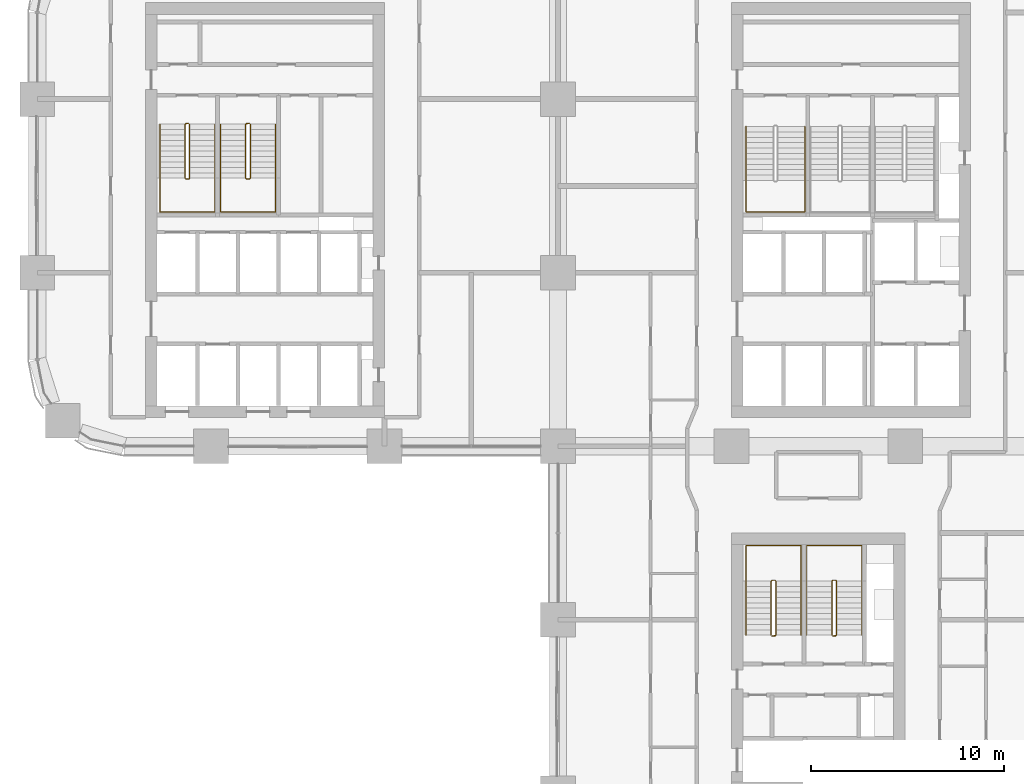
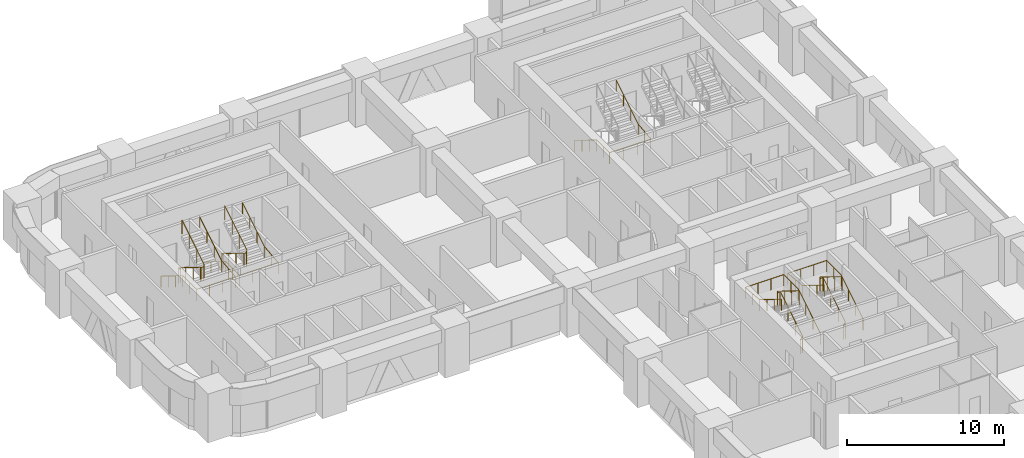
# One storey, part 25 of 26: 9 railings.
"""IFC4 building model written with IfcOpenShell, lengths in metres."""

import ifcopenshell
import ifcopenshell.guid

model = None  # the IFC model being written
_history = None  # IfcOwnerHistory: only IFC2X3 demands one
_inside = {}  # id of a spatial element -> (the spatial element, [elements in it])
_under = {}  # id of a project, library or spatial element -> (it, [spatial elements below it])
_declared = {}  # id of a project -> (the project, [libraries it declares])
_typed = {}  # id of a type object -> (the type object, [elements of that type])
_made_of = {}  # id of a material, layer set ... -> (it, [elements and type objects made of it])


def new_model(schema):
    """Start an empty IFC model of exactly this schema.

    Asked for "IFC4X3", IfcOpenShell would pick the latest addendum, in which some entities
    have other attributes; the version numbers below select the first issue.
    IFC2X3 requires an IfcOwnerHistory on every rooted entity: one is made here for all.
    """
    global model, _history
    if schema == "IFC4X3":
        model = ifcopenshell.file(schema_version=(4, 3, 0, 0))
    else:
        model = ifcopenshell.file(schema=schema)
    _inside.clear()
    _under.clear()
    _declared.clear()
    _typed.clear()
    _made_of.clear()
    _history = None
    if model.schema == "IFC2X3":
        org = make("IfcOrganization", Name="unknown")
        user = make(
            "IfcPersonAndOrganization",
            ThePerson=make("IfcPerson", FamilyName="unknown"),
            TheOrganization=org,
        )
        app = make(
            "IfcApplication",
            ApplicationDeveloper=org,
            Version="unknown",
            ApplicationFullName="unknown",
            ApplicationIdentifier="unknown",
        )
        _history = make(
            "IfcOwnerHistory",
            OwningUser=user,
            OwningApplication=app,
            ChangeAction="ADDED",
            CreationDate=0,
        )
    return model


def make(cls, **values):
    """One entity of the class cls with the attributes given. An attribute that is None is left unset."""
    return model.create_entity(
        cls, **{name: value for name, value in values.items() if value is not None}
    )


def rooted(cls, **values):
    """An entity with a GlobalId (a new one), such as an element, a storey or a relation."""
    return make(cls, GlobalId=ifcopenshell.guid.new(), OwnerHistory=_history, **values)


def si_unit(unit_type, name, prefix=None):
    """IfcSIUnit, for example si_unit("LENGTHUNIT", "METRE", prefix="MILLI")."""
    return make("IfcSIUnit", UnitType=unit_type, Prefix=prefix, Name=name)


def assignment(units):
    """IfcUnitAssignment: the units of a project."""
    return None if units is None else make("IfcUnitAssignment", Units=units)


def point(xyz):
    """IfcCartesianPoint."""
    return None if xyz is None else make("IfcCartesianPoint", Coordinates=xyz)


def direction(xyz):
    """IfcDirection."""
    return None if xyz is None else make("IfcDirection", DirectionRatios=xyz)


def frame(location, z_axis=None, x_axis=None):
    """IfcAxis2Placement3D, a coordinate frame: its origin and axes. An axis left out is left unset."""
    return make(
        "IfcAxis2Placement3D",
        Location=point(location),
        Axis=direction(z_axis),
        RefDirection=direction(x_axis),
    )


def frame_2d(location, x_axis=None):
    """IfcAxis2Placement2D, a coordinate frame in the plane: its origin and x axis."""
    return make(
        "IfcAxis2Placement2D", Location=point(location), RefDirection=direction(x_axis)
    )


def origin():
    """The frame at (0, 0, 0) with its axes left unset."""
    return frame((0.0, 0.0, 0.0))


def origin_2d():
    """The frame at (0, 0) in the plane with its x axis left unset."""
    return frame_2d((0.0, 0.0))


def place(relative_to, where):
    """IfcLocalPlacement: puts the frame where relative to a parent placement (None: the world)."""
    return make(
        "IfcLocalPlacement", PlacementRelTo=relative_to, RelativePlacement=where
    )


def context(
    kind, dimensions, precision=None, world=None, true_north=None, identifier=None
):
    """IfcGeometricRepresentationContext, for example the 3D "Model" context."""
    return make(
        "IfcGeometricRepresentationContext",
        ContextIdentifier=identifier,
        ContextType=kind,
        CoordinateSpaceDimension=dimensions,
        Precision=precision,
        WorldCoordinateSystem=world,
        TrueNorth=true_north,
    )


def subcontext(parent, identifier, kind, view, scale=None):
    """IfcGeometricRepresentationSubContext, for example "Body" below "Model"."""
    return make(
        "IfcGeometricRepresentationSubContext",
        ContextIdentifier=identifier,
        ContextType=kind,
        ParentContext=parent,
        TargetScale=scale,
        TargetView=view,
    )


def project(units=None, contexts=None):
    """IfcProject with its units and contexts."""
    return rooted(
        "IfcProject",
        Name="project",
        RepresentationContexts=contexts,
        UnitsInContext=assignment(units),
    )


def spatial(cls, under=None, at=None, **own):
    """A site, building, storey or space (cls), placed at a placement, below another one or the project."""
    s = rooted(cls, ObjectPlacement=at, **own)
    if under is not None:
        _under.setdefault(under.id(), (under, []))[1].append(s)
    return s


def profile(cls, at=None, kind="AREA", **sizes):
    """A parametric profile (cls). Its sizes go by their IFC names, for example OverallWidth=200.0."""
    return make(cls, ProfileType=kind, Position=at, **sizes)


def circle(**sizes):
    """IfcCircleProfileDef."""
    return profile("IfcCircleProfileDef", **sizes)


def extrude(swept, where, along, depth):
    """IfcExtrudedAreaSolid: the profile swept, set in the frame where, extruded along a direction by depth."""
    return make(
        "IfcExtrudedAreaSolid",
        SweptArea=swept,
        Position=where,
        ExtrudedDirection=direction(along),
        Depth=depth,
    )


def shape(context_of_items, identifier, shape_type, items):
    """IfcShapeRepresentation: the items that make up one representation, for example the "Body"."""
    return make(
        "IfcShapeRepresentation",
        ContextOfItems=context_of_items,
        RepresentationIdentifier=identifier,
        RepresentationType=shape_type,
        Items=items,
    )


def material(Name=None, Category=None):
    """IfcMaterial."""
    return make("IfcMaterial", Name=Name, Category=Category)


def made_of(thing, what):
    """Note that an element or type object is made of a material, layer set ...; save() writes the relation."""
    if what is not None:
        _made_of.setdefault(what.id(), (what, []))[1].append(thing)
    return thing


def type_object(cls, material=None, **own):
    """A type object (cls), such as IfcWallType, which elements share."""
    return made_of(rooted(cls, **own), material)


def element(
    cls,
    number,
    at=None,
    inside=None,
    cuts=None,
    type_object=None,
    material=None,
    context=None,
    identifier="Body",
    shape_type=None,
    held_by="IfcProductDefinitionShape",
    body=None,
    shapes=None,
    **own,
):
    """One element of the class cls, such as IfcWall. Its Tag is "e" and its number.

    at: its placement. inside: the storey or other place that contains it. cuts: it is an
    opening in that element (IfcRelVoidsElement). A single representation is given by context,
    identifier, shape_type and body (its items); several are given by shapes. held_by: the class
    of the entity that holds the representations. save() writes the other relations.
    """
    e = rooted(cls, Tag="e%d" % number, ObjectPlacement=at, **own)
    if body is not None:
        shapes = [shape(context, identifier, shape_type, body)]
    if shapes is not None:
        e.Representation = make(held_by, Representations=shapes)
    if inside is not None:
        _inside.setdefault(inside.id(), (inside, []))[1].append(e)
    if cuts is not None:
        rooted(
            "IfcRelVoidsElement", RelatingBuildingElement=cuts, RelatedOpeningElement=e
        )
    if type_object is not None:
        _typed.setdefault(type_object.id(), (type_object, []))[1].append(e)
    return made_of(e, material)


def aggregate(whole, parts):
    """IfcRelAggregates: a whole, such as a stair, and the parts it consists of."""
    return rooted("IfcRelAggregates", RelatingObject=whole, RelatedObjects=parts)


def save(model, path):
    """Write the relations noted so far, then the file.

    IfcRelAggregates (storeys below a building ...), IfcRelContainedInSpatialStructure (elements
    in a storey), IfcRelDefinesByType, IfcRelAssociatesMaterial and IfcRelDeclares: one each for
    every whole, place, type object, material and project.
    """
    for whole, parts in _under.values():
        aggregate(whole, parts)
    for where, things in _inside.values():
        rooted(
            "IfcRelContainedInSpatialStructure",
            RelatedElements=things,
            RelatingStructure=where,
        )
    for kind, things in _typed.values():
        rooted("IfcRelDefinesByType", RelatedObjects=things, RelatingType=kind)
    for what, things in _made_of.values():
        rooted("IfcRelAssociatesMaterial", RelatedObjects=things, RelatingMaterial=what)
    for by, libraries in _declared.values():
        rooted("IfcRelDeclares", RelatingContext=by, RelatedDefinitions=libraries)
    model.write(path)


model = new_model("IFC4")

# Units and contexts
model_context = context("Model", 3, precision=1e-05, world=origin(), true_north=direction((0.0, 1.0)))
body_context = subcontext(model_context, "Body", "Model", "MODEL_VIEW")
ifc_project = project(units=[si_unit("LENGTHUNIT", "METRE"), si_unit("AREAUNIT", "SQUARE_METRE"), si_unit("VOLUMEUNIT", "CUBIC_METRE"), si_unit("PLANEANGLEUNIT", "RADIAN"), si_unit("MASSUNIT", "GRAM", prefix="KILO")], contexts=[model_context])

# Site, building, storey
site_placement = place(None, origin())
site = spatial("IfcSite", under=ifc_project, at=site_placement, CompositionType="ELEMENT")
building_placement = place(site_placement, origin())
building = spatial("IfcBuilding", under=site, at=building_placement, Name="Tessera Arch", CompositionType="ELEMENT")
storey_placement = place(building_placement, frame((0.0, 0.0, 96.800048828125)))
storey = spatial("IfcBuildingStorey", under=building, at=storey_placement, Name="L22", CompositionType="ELEMENT", Elevation=96.800048828125)

# Railings
ifc_material_1 = material(Name="Painted steel balustrade", Category="steel")
railing_type_1 = type_object("IfcRailingType", Name="Stair guard 1100", PredefinedType="GUARDRAIL", material=ifc_material_1)
railing_1_placement = place(storey_placement, frame((7.699951171875, 43.75, 0.0)))
element("IfcRailing", 1, at=railing_1_placement, inside=storey, type_object=railing_type_1, Name="L22 S2a stair guard 1", PredefinedType="GUARDRAIL", context=body_context, shape_type="SweptSolid", body=[
    extrude(circle(Radius=0.02392578125, at=origin_2d()), frame((-0.00390625, 0.0, 1.076171875), z_axis=(1.0, 0.0, 0.0), x_axis=(0.0, 1.0, 0.0)), (0.0, 0.0, 1.0), 0.158203125),
    extrude(circle(Radius=0.02392578125, at=origin_2d()), frame((0.153076171875, 0.000732421875, 1.073486328125), z_axis=(-0.744141464035, -0.186035366009, 0.641595140332), x_axis=(0.242535625036, -0.970142500145, 0.0)), (0.0, 0.0, 1.0), 0.277099609375),
    extrude(circle(Radius=0.02392578125, at=origin_2d()), frame((-0.050048828125, -0.046630859375, 1.24658203125), z_axis=(0.0, -0.851089632645, 0.525020415988), x_axis=(1.0, 0.0, 0.0)), (0.0, 0.0, 1.0), 3.2978515625),
    extrude(circle(Radius=0.02392578125, at=origin_2d()), frame((-0.052978515625, -2.84716796875, 2.97607421875), z_axis=(0.708833529934, -0.705375805398, 0.0), x_axis=(0.705375805398, 0.708833529934, 0.0)), (0.0, 0.0, 1.0), 0.07861328125),
    extrude(circle(Radius=0.02392578125, at=origin_2d()), frame((-0.00390625, -2.89990234375, 2.97607421875), z_axis=(1.0, 0.0, 0.0), x_axis=(0.0, 1.0, 0.0)), (0.0, 0.0, 1.0), 0.158203125),
    extrude(circle(Radius=0.02392578125, at=origin_2d()), frame((0.149169921875, -2.90087890625, 2.97216796875), z_axis=(0.266832911964, 0.266832911964, 0.926067165051), x_axis=(-0.707106781187, 0.707106781187, 0.0)), (0.0, 0.0, 1.0), 0.194580078125),
    extrude(circle(Radius=0.02392578125, at=origin_2d()), frame((0.199951171875, -2.853515625, 3.146728515625), z_axis=(0.0, 0.851089632645, 0.525020415988), x_axis=(-1.0, 0.0, 0.0)), (0.0, 0.0, 1.0), 3.2978515625),
    extrude(circle(Radius=0.02099609375, at=origin_2d()), origin(), (0.0, 0.0, 1.0), 1.06396484375),
    extrude(circle(Radius=0.02099609375, at=origin_2d()), frame((0.150146484375, 0.0, 0.0)), (0.0, 0.0, 1.0), 1.06396484375),
    extrude(circle(Radius=0.02099609375, at=origin_2d()), frame((-0.050048828125, -0.050048828125, 0.172607421875)), (0.0, 0.0, 1.0), 1.06396484375),
    extrude(circle(Radius=0.02099609375, at=origin_2d()), frame((-0.050048828125, -0.9833984375, 0.748291015625)), (0.0, 0.0, 1.0), 1.06396484375),
    extrude(circle(Radius=0.02099609375, at=origin_2d()), frame((-0.050048828125, -1.916748046875, 1.32421875)), (0.0, 0.0, 1.0), 1.06396484375),
    extrude(circle(Radius=0.02099609375, at=origin_2d()), frame((-0.050048828125, -2.85009765625, 1.89990234375)), (0.0, 0.0, 1.0), 1.06396484375),
    extrude(circle(Radius=0.02099609375, at=origin_2d()), frame((0.0, -2.89990234375, 1.89990234375)), (0.0, 0.0, 1.0), 1.06396484375),
    extrude(circle(Radius=0.02099609375, at=origin_2d()), frame((0.150146484375, -2.89990234375, 1.89990234375)), (0.0, 0.0, 1.0), 1.06396484375),
    extrude(circle(Radius=0.02099609375, at=origin_2d()), frame((0.199951171875, -2.85009765625, 2.07275390625)), (0.0, 0.0, 1.0), 1.06396484375),
    extrude(circle(Radius=0.02099609375, at=origin_2d()), frame((0.199951171875, -1.916748046875, 2.6484375)), (0.0, 0.0, 1.0), 1.06396484375),
    extrude(circle(Radius=0.02099609375, at=origin_2d()), frame((0.199951171875, -0.9833984375, 3.224365234375)), (0.0, 0.0, 1.0), 1.06396484375),
    extrude(circle(Radius=0.02099609375, at=origin_2d()), frame((0.199951171875, -0.050048828125, 3.800048828125)), (0.0, 0.0, 1.0), 1.06396484375),
])
railing_2_placement = place(storey_placement, frame((10.85009765625, 43.75, 0.0)))
element("IfcRailing", 2, at=railing_2_placement, inside=storey, type_object=railing_type_1, Name="L22 S2b stair guard 1", PredefinedType="GUARDRAIL", context=body_context, shape_type="SweptSolid", body=[
    extrude(circle(Radius=0.02392578125, at=origin_2d()), frame((-0.00390625, 0.0, 1.076171875), z_axis=(1.0, 0.0, 0.0), x_axis=(0.0, 1.0, 0.0)), (0.0, 0.0, 1.0), 0.157958984375),
    extrude(circle(Radius=0.02392578125, at=origin_2d()), frame((0.15283203125, 0.000732421875, 1.073486328125), z_axis=(-0.743736083135, -0.18616104645, 0.642028584587), x_axis=(0.242814311512, -0.970072785993, 0.0)), (0.0, 0.0, 1.0), 0.27685546875),
    extrude(circle(Radius=0.02392578125, at=origin_2d()), frame((-0.050048828125, -0.046630859375, 1.24658203125), z_axis=(0.0, -0.851089632645, 0.525020415988), x_axis=(1.0, 0.0, 0.0)), (0.0, 0.0, 1.0), 3.2978515625),
    extrude(circle(Radius=0.02392578125, at=origin_2d()), frame((-0.052978515625, -2.84716796875, 2.97607421875), z_axis=(0.708833529934, -0.705375805398, 0.0), x_axis=(0.705375805398, 0.708833529934, 0.0)), (0.0, 0.0, 1.0), 0.07861328125),
    extrude(circle(Radius=0.02392578125, at=origin_2d()), frame((-0.00390625, -2.89990234375, 2.97607421875), z_axis=(1.0, 0.0, 0.0), x_axis=(0.0, 1.0, 0.0)), (0.0, 0.0, 1.0), 0.157958984375),
    extrude(circle(Radius=0.02392578125, at=origin_2d()), frame((0.14892578125, -2.90087890625, 2.97216796875), z_axis=(0.268047150085, 0.266739603011, 0.925743328097), x_axis=(-0.705375805398, 0.708833529934, 0.0)), (0.0, 0.0, 1.0), 0.19482421875),
    extrude(circle(Radius=0.02392578125, at=origin_2d()), frame((0.199951171875, -2.853515625, 3.146728515625), z_axis=(0.0, 0.851089632645, 0.525020415988), x_axis=(-1.0, 0.0, 0.0)), (0.0, 0.0, 1.0), 3.2978515625),
    extrude(circle(Radius=0.02099609375, at=origin_2d()), origin(), (0.0, 0.0, 1.0), 1.06396484375),
    extrude(circle(Radius=0.02099609375, at=origin_2d()), frame((0.14990234375, 0.0, 0.0)), (0.0, 0.0, 1.0), 1.06396484375),
    extrude(circle(Radius=0.02099609375, at=origin_2d()), frame((-0.050048828125, -0.050048828125, 0.172607421875)), (0.0, 0.0, 1.0), 1.06396484375),
    extrude(circle(Radius=0.02099609375, at=origin_2d()), frame((-0.050048828125, -0.9833984375, 0.748291015625)), (0.0, 0.0, 1.0), 1.06396484375),
    extrude(circle(Radius=0.02099609375, at=origin_2d()), frame((-0.050048828125, -1.916748046875, 1.32421875)), (0.0, 0.0, 1.0), 1.06396484375),
    extrude(circle(Radius=0.02099609375, at=origin_2d()), frame((-0.050048828125, -2.85009765625, 1.89990234375)), (0.0, 0.0, 1.0), 1.06396484375),
    extrude(circle(Radius=0.02099609375, at=origin_2d()), frame((0.0, -2.89990234375, 1.89990234375)), (0.0, 0.0, 1.0), 1.06396484375),
    extrude(circle(Radius=0.02099609375, at=origin_2d()), frame((0.14990234375, -2.89990234375, 1.89990234375)), (0.0, 0.0, 1.0), 1.06396484375),
    extrude(circle(Radius=0.02099609375, at=origin_2d()), frame((0.199951171875, -2.85009765625, 2.07275390625)), (0.0, 0.0, 1.0), 1.06396484375),
    extrude(circle(Radius=0.02099609375, at=origin_2d()), frame((0.199951171875, -1.916748046875, 2.6484375)), (0.0, 0.0, 1.0), 1.06396484375),
    extrude(circle(Radius=0.02099609375, at=origin_2d()), frame((0.199951171875, -0.9833984375, 3.224365234375)), (0.0, 0.0, 1.0), 1.06396484375),
    extrude(circle(Radius=0.02099609375, at=origin_2d()), frame((0.199951171875, -0.050048828125, 3.800048828125)), (0.0, 0.0, 1.0), 1.06396484375),
])
railing_3_placement = place(storey_placement, frame((38.25, 17.14990234375, 0.0)))
element("IfcRailing", 3, at=railing_3_placement, inside=storey, type_object=railing_type_1, Name="L22 S3a stair guard 1", PredefinedType="GUARDRAIL", context=body_context, shape_type="SweptSolid", body=[
    extrude(circle(Radius=0.02392578125, at=origin_2d()), frame((0.00390625, 0.0, 1.076171875), z_axis=(-1.0, 0.0, 0.0), x_axis=(0.0, -1.0, 0.0)), (0.0, 0.0, 1.0), 0.157958984375),
    extrude(circle(Radius=0.02392578125, at=origin_2d()), frame((-0.15283203125, -0.000732421875, 1.073486328125), z_axis=(0.743736083135, 0.18616104645, 0.642028584587), x_axis=(-0.242814311512, 0.970072785993, 0.0)), (0.0, 0.0, 1.0), 0.27685546875),
    extrude(circle(Radius=0.02392578125, at=origin_2d()), frame((0.050048828125, 0.046630859375, 1.24658203125), z_axis=(0.0, 0.851089632645, 0.525020415988), x_axis=(-1.0, 0.0, 0.0)), (0.0, 0.0, 1.0), 3.2978515625),
    extrude(circle(Radius=0.02392578125, at=origin_2d()), frame((0.052978515625, 2.84716796875, 2.97607421875), z_axis=(-0.707106781187, 0.707106781187, 0.0), x_axis=(-0.707106781187, -0.707106781187, 0.0)), (0.0, 0.0, 1.0), 0.078857421875),
    extrude(circle(Radius=0.02392578125, at=origin_2d()), frame((0.00390625, 2.900146484375, 2.97607421875), z_axis=(-1.0, 0.0, 0.0), x_axis=(0.0, -1.0, 0.0)), (0.0, 0.0, 1.0), 0.157958984375),
    extrude(circle(Radius=0.02392578125, at=origin_2d()), frame((-0.14892578125, 2.901123046875, 2.97216796875), z_axis=(-0.267953482034, -0.267953482034, 0.925419830635), x_axis=(0.707106781187, -0.707106781187, 0.0)), (0.0, 0.0, 1.0), 0.19482421875),
    extrude(circle(Radius=0.02392578125, at=origin_2d()), frame((-0.199951171875, 2.853515625, 3.146728515625), z_axis=(0.0, -0.851089632645, 0.525020415988), x_axis=(1.0, 0.0, 0.0)), (0.0, 0.0, 1.0), 3.2978515625),
    extrude(circle(Radius=0.02099609375, at=origin_2d()), origin(), (0.0, 0.0, 1.0), 1.06396484375),
    extrude(circle(Radius=0.02099609375, at=origin_2d()), frame((-0.14990234375, 0.0, 0.0)), (0.0, 0.0, 1.0), 1.06396484375),
    extrude(circle(Radius=0.02099609375, at=origin_2d()), frame((0.050048828125, 0.050048828125, 0.172607421875)), (0.0, 0.0, 1.0), 1.06396484375),
    extrude(circle(Radius=0.02099609375, at=origin_2d()), frame((0.050048828125, 0.9833984375, 0.748291015625)), (0.0, 0.0, 1.0), 1.06396484375),
    extrude(circle(Radius=0.02099609375, at=origin_2d()), frame((0.050048828125, 1.916748046875, 1.32421875)), (0.0, 0.0, 1.0), 1.06396484375),
    extrude(circle(Radius=0.02099609375, at=origin_2d()), frame((0.050048828125, 2.85009765625, 1.89990234375)), (0.0, 0.0, 1.0), 1.06396484375),
    extrude(circle(Radius=0.02099609375, at=origin_2d()), frame((0.0, 2.900146484375, 1.89990234375)), (0.0, 0.0, 1.0), 1.06396484375),
    extrude(circle(Radius=0.02099609375, at=origin_2d()), frame((-0.14990234375, 2.900146484375, 1.89990234375)), (0.0, 0.0, 1.0), 1.06396484375),
    extrude(circle(Radius=0.02099609375, at=origin_2d()), frame((-0.199951171875, 2.85009765625, 2.07275390625)), (0.0, 0.0, 1.0), 1.06396484375),
    extrude(circle(Radius=0.02099609375, at=origin_2d()), frame((-0.199951171875, 1.916748046875, 2.6484375)), (0.0, 0.0, 1.0), 1.06396484375),
    extrude(circle(Radius=0.02099609375, at=origin_2d()), frame((-0.199951171875, 0.9833984375, 3.224365234375)), (0.0, 0.0, 1.0), 1.06396484375),
    extrude(circle(Radius=0.02099609375, at=origin_2d()), frame((-0.199951171875, 0.050048828125, 3.800048828125)), (0.0, 0.0, 1.0), 1.06396484375),
])
railing_4_placement = place(storey_placement, frame((41.39990234375, 17.14990234375, 0.0)))
element("IfcRailing", 4, at=railing_4_placement, inside=storey, type_object=railing_type_1, Name="L22 S3b stair guard 1", PredefinedType="GUARDRAIL", context=body_context, shape_type="SweptSolid", body=[
    extrude(circle(Radius=0.02392578125, at=origin_2d()), frame((0.00390625, 0.0, 1.076171875), z_axis=(-1.0, 0.0, 0.0), x_axis=(0.0, -1.0, 0.0)), (0.0, 0.0, 1.0), 0.157958984375),
    extrude(circle(Radius=0.02392578125, at=origin_2d()), frame((-0.15283203125, -0.000732421875, 1.073486328125), z_axis=(0.743736083135, 0.18616104645, 0.642028584587), x_axis=(-0.242814311512, 0.970072785993, 0.0)), (0.0, 0.0, 1.0), 0.27685546875),
    extrude(circle(Radius=0.02392578125, at=origin_2d()), frame((0.050048828125, 0.046630859375, 1.24658203125), z_axis=(0.0, 0.851089632645, 0.525020415988), x_axis=(-1.0, 0.0, 0.0)), (0.0, 0.0, 1.0), 3.2978515625),
    extrude(circle(Radius=0.02392578125, at=origin_2d()), frame((0.052978515625, 2.84716796875, 2.97607421875), z_axis=(-0.707106781187, 0.707106781187, 0.0), x_axis=(-0.707106781187, -0.707106781187, 0.0)), (0.0, 0.0, 1.0), 0.078857421875),
    extrude(circle(Radius=0.02392578125, at=origin_2d()), frame((0.00390625, 2.900146484375, 2.97607421875), z_axis=(-1.0, 0.0, 0.0), x_axis=(0.0, -1.0, 0.0)), (0.0, 0.0, 1.0), 0.157958984375),
    extrude(circle(Radius=0.02392578125, at=origin_2d()), frame((-0.14892578125, 2.901123046875, 2.97216796875), z_axis=(-0.267953482034, -0.267953482034, 0.925419830635), x_axis=(0.707106781187, -0.707106781187, 0.0)), (0.0, 0.0, 1.0), 0.19482421875),
    extrude(circle(Radius=0.02392578125, at=origin_2d()), frame((-0.199951171875, 2.853515625, 3.146728515625), z_axis=(0.0, -0.851089632645, 0.525020415988), x_axis=(1.0, 0.0, 0.0)), (0.0, 0.0, 1.0), 3.2978515625),
    extrude(circle(Radius=0.02099609375, at=origin_2d()), origin(), (0.0, 0.0, 1.0), 1.06396484375),
    extrude(circle(Radius=0.02099609375, at=origin_2d()), frame((-0.14990234375, 0.0, 0.0)), (0.0, 0.0, 1.0), 1.06396484375),
    extrude(circle(Radius=0.02099609375, at=origin_2d()), frame((0.050048828125, 0.050048828125, 0.172607421875)), (0.0, 0.0, 1.0), 1.06396484375),
    extrude(circle(Radius=0.02099609375, at=origin_2d()), frame((0.050048828125, 0.9833984375, 0.748291015625)), (0.0, 0.0, 1.0), 1.06396484375),
    extrude(circle(Radius=0.02099609375, at=origin_2d()), frame((0.050048828125, 1.916748046875, 1.32421875)), (0.0, 0.0, 1.0), 1.06396484375),
    extrude(circle(Radius=0.02099609375, at=origin_2d()), frame((0.050048828125, 2.85009765625, 1.89990234375)), (0.0, 0.0, 1.0), 1.06396484375),
    extrude(circle(Radius=0.02099609375, at=origin_2d()), frame((0.0, 2.900146484375, 1.89990234375)), (0.0, 0.0, 1.0), 1.06396484375),
    extrude(circle(Radius=0.02099609375, at=origin_2d()), frame((-0.14990234375, 2.900146484375, 1.89990234375)), (0.0, 0.0, 1.0), 1.06396484375),
    extrude(circle(Radius=0.02099609375, at=origin_2d()), frame((-0.199951171875, 2.85009765625, 2.07275390625)), (0.0, 0.0, 1.0), 1.06396484375),
    extrude(circle(Radius=0.02099609375, at=origin_2d()), frame((-0.199951171875, 1.916748046875, 2.6484375)), (0.0, 0.0, 1.0), 1.06396484375),
    extrude(circle(Radius=0.02099609375, at=origin_2d()), frame((-0.199951171875, 0.9833984375, 3.224365234375)), (0.0, 0.0, 1.0), 1.06396484375),
    extrude(circle(Radius=0.02099609375, at=origin_2d()), frame((-0.199951171875, 0.050048828125, 3.800048828125)), (0.0, 0.0, 1.0), 1.06396484375),
])
ifc_material_2 = material(Name="Painted steel handrail", Category="steel")
railing_type_2 = type_object("IfcRailingType", Name="Stair handrail 900", PredefinedType="HANDRAIL", material=ifc_material_2)
railing_5_placement = place(storey_placement, frame((36.75, 43.580078125, 0.172607421875)))
element("IfcRailing", 5, at=railing_5_placement, inside=storey, type_object=railing_type_2, Name="L22 S1a stair handrail", PredefinedType="HANDRAIL", context=body_context, shape_type="SweptSolid", body=[
    extrude(circle(Radius=0.02392578125, at=origin_2d()), frame((0.0, 0.00341796875, 0.873779296875), z_axis=(0.0, -0.851089632645, 0.525020415988), x_axis=(1.0, 0.0, 0.0)), (0.0, 0.0, 1.0), 3.2978515625),
    extrude(circle(Radius=0.02392578125, at=origin_2d()), frame((0.0, -2.796142578125, 2.60302734375), z_axis=(0.0, -1.0, 0.0), x_axis=(1.0, 0.0, 0.0)), (0.0, 0.0, 1.0), 1.63818359375),
    extrude(circle(Radius=0.02392578125, at=origin_2d()), frame((-0.00390625, -4.43017578125, 2.60302734375), z_axis=(1.0, 0.0, 0.0), x_axis=(0.0, 1.0, 0.0)), (0.0, 0.0, 1.0), 3.05810546875),
    extrude(circle(Radius=0.02392578125, at=origin_2d()), frame((3.050048828125, -4.43408203125, 2.602783203125), z_axis=(0.0, 0.994425187763, 0.105444515941), x_axis=(-1.0, 0.0, 0.0)), (0.0, 0.0, 1.0), 1.647216796875),
    extrude(circle(Radius=0.02392578125, at=origin_2d()), frame((3.050048828125, -2.803466796875, 2.77392578125), z_axis=(0.0, 0.851089632645, 0.525020415988), x_axis=(-1.0, 0.0, 0.0)), (0.0, 0.0, 1.0), 3.2978515625),
    extrude(circle(Radius=0.02099609375, at=origin_2d()), origin(), (0.0, 0.0, 1.0), 0.86376953125),
    extrude(circle(Radius=0.02099609375, at=origin_2d()), frame((0.0, -0.933349609375, 0.57568359375)), (0.0, 0.0, 1.0), 0.86376953125),
    extrude(circle(Radius=0.02099609375, at=origin_2d()), frame((0.0, -1.86669921875, 1.151611328125)), (0.0, 0.0, 1.0), 0.86376953125),
    extrude(circle(Radius=0.02099609375, at=origin_2d()), frame((0.0, -2.800048828125, 1.727294921875)), (0.0, 0.0, 1.0), 0.86376953125),
    extrude(circle(Radius=0.02099609375, at=origin_2d()), frame((0.0, -3.615234375, 1.727294921875)), (0.0, 0.0, 1.0), 0.86376953125),
    extrude(circle(Radius=0.02099609375, at=origin_2d()), frame((0.0, -4.43017578125, 1.727294921875)), (0.0, 0.0, 1.0), 0.86376953125),
    extrude(circle(Radius=0.02099609375, at=origin_2d()), frame((1.0166015625, -4.43017578125, 1.727294921875)), (0.0, 0.0, 1.0), 0.86376953125),
    extrude(circle(Radius=0.02099609375, at=origin_2d()), frame((2.033447265625, -4.43017578125, 1.727294921875)), (0.0, 0.0, 1.0), 0.86376953125),
    extrude(circle(Radius=0.02099609375, at=origin_2d()), frame((3.050048828125, -4.43017578125, 1.727294921875)), (0.0, 0.0, 1.0), 0.86376953125),
    extrude(circle(Radius=0.02099609375, at=origin_2d()), frame((3.050048828125, -3.615234375, 1.813720703125)), (0.0, 0.0, 1.0), 0.86376953125),
    extrude(circle(Radius=0.02099609375, at=origin_2d()), frame((3.050048828125, -2.800048828125, 1.900146484375)), (0.0, 0.0, 1.0), 0.86376953125),
    extrude(circle(Radius=0.02099609375, at=origin_2d()), frame((3.050048828125, -1.86669921875, 2.475830078125)), (0.0, 0.0, 1.0), 0.86376953125),
    extrude(circle(Radius=0.02099609375, at=origin_2d()), frame((3.050048828125, -0.933349609375, 3.0517578125)), (0.0, 0.0, 1.0), 0.86376953125),
    extrude(circle(Radius=0.02099609375, at=origin_2d()), frame((3.050048828125, 0.0, 3.62744140625)), (0.0, 0.0, 1.0), 0.86376953125),
])
railing_6_placement = place(storey_placement, frame((6.35009765625, 43.699951171875, 0.172607421875)))
element("IfcRailing", 6, at=railing_6_placement, inside=storey, type_object=railing_type_2, Name="L22 S2a stair handrail", PredefinedType="HANDRAIL", context=body_context, shape_type="SweptSolid", body=[
    extrude(circle(Radius=0.02392578125, at=origin_2d()), frame((0.0, 0.00341796875, 0.873779296875), z_axis=(0.0, -0.851089632645, 0.525020415988), x_axis=(1.0, 0.0, 0.0)), (0.0, 0.0, 1.0), 3.2978515625),
    extrude(circle(Radius=0.02392578125, at=origin_2d()), frame((0.0, -2.796142578125, 2.60302734375), z_axis=(0.0, -1.0, 0.0), x_axis=(1.0, 0.0, 0.0)), (0.0, 0.0, 1.0), 1.758056640625),
    extrude(circle(Radius=0.02392578125, at=origin_2d()), frame((-0.00390625, -4.550048828125, 2.60302734375), z_axis=(1.0, 0.0, 0.0), x_axis=(0.0, 1.0, 0.0)), (0.0, 0.0, 1.0), 2.85791015625),
    extrude(circle(Radius=0.02392578125, at=origin_2d()), frame((2.849853515625, -4.553955078125, 2.602783203125), z_axis=(0.0, 0.995157418657, 0.098294008428), x_axis=(-1.0, 0.0, 0.0)), (0.0, 0.0, 1.0), 1.7666015625),
    extrude(circle(Radius=0.02392578125, at=origin_2d()), frame((2.849853515625, -2.803466796875, 2.77392578125), z_axis=(0.0, 0.851089632645, 0.525020415988), x_axis=(-1.0, 0.0, 0.0)), (0.0, 0.0, 1.0), 3.2978515625),
    extrude(circle(Radius=0.02099609375, at=origin_2d()), origin(), (0.0, 0.0, 1.0), 0.86376953125),
    extrude(circle(Radius=0.02099609375, at=origin_2d()), frame((0.0, -0.933349609375, 0.57568359375)), (0.0, 0.0, 1.0), 0.86376953125),
    extrude(circle(Radius=0.02099609375, at=origin_2d()), frame((0.0, -1.86669921875, 1.151611328125)), (0.0, 0.0, 1.0), 0.86376953125),
    extrude(circle(Radius=0.02099609375, at=origin_2d()), frame((0.0, -2.800048828125, 1.727294921875)), (0.0, 0.0, 1.0), 0.86376953125),
    extrude(circle(Radius=0.02099609375, at=origin_2d()), frame((0.0, -3.675048828125, 1.727294921875)), (0.0, 0.0, 1.0), 0.86376953125),
    extrude(circle(Radius=0.02099609375, at=origin_2d()), frame((0.0, -4.550048828125, 1.727294921875)), (0.0, 0.0, 1.0), 0.86376953125),
    extrude(circle(Radius=0.02099609375, at=origin_2d()), frame((0.949951171875, -4.550048828125, 1.727294921875)), (0.0, 0.0, 1.0), 0.86376953125),
    extrude(circle(Radius=0.02099609375, at=origin_2d()), frame((1.89990234375, -4.550048828125, 1.727294921875)), (0.0, 0.0, 1.0), 0.86376953125),
    extrude(circle(Radius=0.02099609375, at=origin_2d()), frame((2.849853515625, -4.550048828125, 1.727294921875)), (0.0, 0.0, 1.0), 0.86376953125),
    extrude(circle(Radius=0.02099609375, at=origin_2d()), frame((2.849853515625, -3.675048828125, 1.813720703125)), (0.0, 0.0, 1.0), 0.86376953125),
    extrude(circle(Radius=0.02099609375, at=origin_2d()), frame((2.849853515625, -2.800048828125, 1.900146484375)), (0.0, 0.0, 1.0), 0.86376953125),
    extrude(circle(Radius=0.02099609375, at=origin_2d()), frame((2.849853515625, -1.86669921875, 2.475830078125)), (0.0, 0.0, 1.0), 0.86376953125),
    extrude(circle(Radius=0.02099609375, at=origin_2d()), frame((2.849853515625, -0.933349609375, 3.0517578125)), (0.0, 0.0, 1.0), 0.86376953125),
    extrude(circle(Radius=0.02099609375, at=origin_2d()), frame((2.849853515625, 0.0, 3.62744140625)), (0.0, 0.0, 1.0), 0.86376953125),
])
railing_7_placement = place(storey_placement, frame((9.5, 43.699951171875, 0.172607421875)))
element("IfcRailing", 7, at=railing_7_placement, inside=storey, type_object=railing_type_2, Name="L22 S2b stair handrail", PredefinedType="HANDRAIL", context=body_context, shape_type="SweptSolid", body=[
    extrude(circle(Radius=0.02392578125, at=origin_2d()), frame((0.0, 0.00341796875, 0.873779296875), z_axis=(0.0, -0.851089632645, 0.525020415988), x_axis=(1.0, 0.0, 0.0)), (0.0, 0.0, 1.0), 3.2978515625),
    extrude(circle(Radius=0.02392578125, at=origin_2d()), frame((0.0, -2.796142578125, 2.60302734375), z_axis=(0.0, -1.0, 0.0), x_axis=(1.0, 0.0, 0.0)), (0.0, 0.0, 1.0), 1.758056640625),
    extrude(circle(Radius=0.02392578125, at=origin_2d()), frame((-0.00390625, -4.550048828125, 2.60302734375), z_axis=(1.0, 0.0, 0.0), x_axis=(0.0, 1.0, 0.0)), (0.0, 0.0, 1.0), 2.858154296875),
    extrude(circle(Radius=0.02392578125, at=origin_2d()), frame((2.85009765625, -4.553955078125, 2.602783203125), z_axis=(0.0, 0.995157418657, 0.098294008428), x_axis=(-1.0, 0.0, 0.0)), (0.0, 0.0, 1.0), 1.7666015625),
    extrude(circle(Radius=0.02392578125, at=origin_2d()), frame((2.85009765625, -2.803466796875, 2.77392578125), z_axis=(0.0, 0.851089632645, 0.525020415988), x_axis=(-1.0, 0.0, 0.0)), (0.0, 0.0, 1.0), 3.2978515625),
    extrude(circle(Radius=0.02099609375, at=origin_2d()), origin(), (0.0, 0.0, 1.0), 0.86376953125),
    extrude(circle(Radius=0.02099609375, at=origin_2d()), frame((0.0, -0.933349609375, 0.57568359375)), (0.0, 0.0, 1.0), 0.86376953125),
    extrude(circle(Radius=0.02099609375, at=origin_2d()), frame((0.0, -1.86669921875, 1.151611328125)), (0.0, 0.0, 1.0), 0.86376953125),
    extrude(circle(Radius=0.02099609375, at=origin_2d()), frame((0.0, -2.800048828125, 1.727294921875)), (0.0, 0.0, 1.0), 0.86376953125),
    extrude(circle(Radius=0.02099609375, at=origin_2d()), frame((0.0, -3.675048828125, 1.727294921875)), (0.0, 0.0, 1.0), 0.86376953125),
    extrude(circle(Radius=0.02099609375, at=origin_2d()), frame((0.0, -4.550048828125, 1.727294921875)), (0.0, 0.0, 1.0), 0.86376953125),
    extrude(circle(Radius=0.02099609375, at=origin_2d()), frame((0.949951171875, -4.550048828125, 1.727294921875)), (0.0, 0.0, 1.0), 0.86376953125),
    extrude(circle(Radius=0.02099609375, at=origin_2d()), frame((1.900146484375, -4.550048828125, 1.727294921875)), (0.0, 0.0, 1.0), 0.86376953125),
    extrude(circle(Radius=0.02099609375, at=origin_2d()), frame((2.85009765625, -4.550048828125, 1.727294921875)), (0.0, 0.0, 1.0), 0.86376953125),
    extrude(circle(Radius=0.02099609375, at=origin_2d()), frame((2.85009765625, -3.675048828125, 1.813720703125)), (0.0, 0.0, 1.0), 0.86376953125),
    extrude(circle(Radius=0.02099609375, at=origin_2d()), frame((2.85009765625, -2.800048828125, 1.900146484375)), (0.0, 0.0, 1.0), 0.86376953125),
    extrude(circle(Radius=0.02099609375, at=origin_2d()), frame((2.85009765625, -1.86669921875, 2.475830078125)), (0.0, 0.0, 1.0), 0.86376953125),
    extrude(circle(Radius=0.02099609375, at=origin_2d()), frame((2.85009765625, -0.933349609375, 3.0517578125)), (0.0, 0.0, 1.0), 0.86376953125),
    extrude(circle(Radius=0.02099609375, at=origin_2d()), frame((2.85009765625, 0.0, 3.62744140625)), (0.0, 0.0, 1.0), 0.86376953125),
])
railing_8_placement = place(storey_placement, frame((39.60009765625, 17.199951171875, 0.172607421875)))
element("IfcRailing", 8, at=railing_8_placement, inside=storey, type_object=railing_type_2, Name="L22 S3a stair handrail", PredefinedType="HANDRAIL", context=body_context, shape_type="SweptSolid", body=[
    extrude(circle(Radius=0.02392578125, at=origin_2d()), frame((0.0, -0.00341796875, 0.873779296875), z_axis=(0.0, 0.851089632645, 0.525020415988), x_axis=(-1.0, 0.0, 0.0)), (0.0, 0.0, 1.0), 3.2978515625),
    extrude(circle(Radius=0.02392578125, at=origin_2d()), frame((0.0, 2.796142578125, 2.60302734375), z_axis=(0.0, 1.0, 0.0), x_axis=(-1.0, 0.0, 0.0)), (0.0, 0.0, 1.0), 1.858154296875),
    extrude(circle(Radius=0.02392578125, at=origin_2d()), frame((0.00390625, 4.650146484375, 2.60302734375), z_axis=(-1.0, 0.0, 0.0), x_axis=(0.0, -1.0, 0.0)), (0.0, 0.0, 1.0), 2.858154296875),
    extrude(circle(Radius=0.02392578125, at=origin_2d()), frame((-2.85009765625, 4.654052734375, 2.602783203125), z_axis=(0.0, -0.99566393824, 0.093023234135), x_axis=(1.0, 0.0, 0.0)), (0.0, 0.0, 1.0), 1.8662109375),
    extrude(circle(Radius=0.02392578125, at=origin_2d()), frame((-2.85009765625, 2.803466796875, 2.77392578125), z_axis=(0.0, -0.851089632645, 0.525020415988), x_axis=(1.0, 0.0, 0.0)), (0.0, 0.0, 1.0), 3.2978515625),
    extrude(circle(Radius=0.02099609375, at=origin_2d()), origin(), (0.0, 0.0, 1.0), 0.86376953125),
    extrude(circle(Radius=0.02099609375, at=origin_2d()), frame((0.0, 0.933349609375, 0.57568359375)), (0.0, 0.0, 1.0), 0.86376953125),
    extrude(circle(Radius=0.02099609375, at=origin_2d()), frame((0.0, 1.86669921875, 1.151611328125)), (0.0, 0.0, 1.0), 0.86376953125),
    extrude(circle(Radius=0.02099609375, at=origin_2d()), frame((0.0, 2.800048828125, 1.727294921875)), (0.0, 0.0, 1.0), 0.86376953125),
    extrude(circle(Radius=0.02099609375, at=origin_2d()), frame((0.0, 3.72509765625, 1.727294921875)), (0.0, 0.0, 1.0), 0.86376953125),
    extrude(circle(Radius=0.02099609375, at=origin_2d()), frame((0.0, 4.650146484375, 1.727294921875)), (0.0, 0.0, 1.0), 0.86376953125),
    extrude(circle(Radius=0.02099609375, at=origin_2d()), frame((-0.949951171875, 4.650146484375, 1.727294921875)), (0.0, 0.0, 1.0), 0.86376953125),
    extrude(circle(Radius=0.02099609375, at=origin_2d()), frame((-1.900146484375, 4.650146484375, 1.727294921875)), (0.0, 0.0, 1.0), 0.86376953125),
    extrude(circle(Radius=0.02099609375, at=origin_2d()), frame((-2.85009765625, 4.650146484375, 1.727294921875)), (0.0, 0.0, 1.0), 0.86376953125),
    extrude(circle(Radius=0.02099609375, at=origin_2d()), frame((-2.85009765625, 3.72509765625, 1.813720703125)), (0.0, 0.0, 1.0), 0.86376953125),
    extrude(circle(Radius=0.02099609375, at=origin_2d()), frame((-2.85009765625, 2.800048828125, 1.900146484375)), (0.0, 0.0, 1.0), 0.86376953125),
    extrude(circle(Radius=0.02099609375, at=origin_2d()), frame((-2.85009765625, 1.86669921875, 2.475830078125)), (0.0, 0.0, 1.0), 0.86376953125),
    extrude(circle(Radius=0.02099609375, at=origin_2d()), frame((-2.85009765625, 0.933349609375, 3.0517578125)), (0.0, 0.0, 1.0), 0.86376953125),
    extrude(circle(Radius=0.02099609375, at=origin_2d()), frame((-2.85009765625, 0.0, 3.62744140625)), (0.0, 0.0, 1.0), 0.86376953125),
])
railing_9_placement = place(storey_placement, frame((42.75, 17.199951171875, 0.172607421875)))
element("IfcRailing", 9, at=railing_9_placement, inside=storey, type_object=railing_type_2, Name="L22 S3b stair handrail", PredefinedType="HANDRAIL", context=body_context, shape_type="SweptSolid", body=[
    extrude(circle(Radius=0.02392578125, at=origin_2d()), frame((0.0, -0.00341796875, 0.873779296875), z_axis=(0.0, 0.851089632645, 0.525020415988), x_axis=(-1.0, 0.0, 0.0)), (0.0, 0.0, 1.0), 3.2978515625),
    extrude(circle(Radius=0.02392578125, at=origin_2d()), frame((0.0, 2.796142578125, 2.60302734375), z_axis=(0.0, 1.0, 0.0), x_axis=(-1.0, 0.0, 0.0)), (0.0, 0.0, 1.0), 1.858154296875),
    extrude(circle(Radius=0.02392578125, at=origin_2d()), frame((0.00390625, 4.650146484375, 2.60302734375), z_axis=(-1.0, 0.0, 0.0), x_axis=(0.0, -1.0, 0.0)), (0.0, 0.0, 1.0), 2.858154296875),
    extrude(circle(Radius=0.02392578125, at=origin_2d()), frame((-2.85009765625, 4.654052734375, 2.602783203125), z_axis=(0.0, -0.99566393824, 0.093023234135), x_axis=(1.0, 0.0, 0.0)), (0.0, 0.0, 1.0), 1.8662109375),
    extrude(circle(Radius=0.02392578125, at=origin_2d()), frame((-2.85009765625, 2.803466796875, 2.77392578125), z_axis=(0.0, -0.851089632645, 0.525020415988), x_axis=(1.0, 0.0, 0.0)), (0.0, 0.0, 1.0), 3.2978515625),
    extrude(circle(Radius=0.02099609375, at=origin_2d()), origin(), (0.0, 0.0, 1.0), 0.86376953125),
    extrude(circle(Radius=0.02099609375, at=origin_2d()), frame((0.0, 0.933349609375, 0.57568359375)), (0.0, 0.0, 1.0), 0.86376953125),
    extrude(circle(Radius=0.02099609375, at=origin_2d()), frame((0.0, 1.86669921875, 1.151611328125)), (0.0, 0.0, 1.0), 0.86376953125),
    extrude(circle(Radius=0.02099609375, at=origin_2d()), frame((0.0, 2.800048828125, 1.727294921875)), (0.0, 0.0, 1.0), 0.86376953125),
    extrude(circle(Radius=0.02099609375, at=origin_2d()), frame((0.0, 3.72509765625, 1.727294921875)), (0.0, 0.0, 1.0), 0.86376953125),
    extrude(circle(Radius=0.02099609375, at=origin_2d()), frame((0.0, 4.650146484375, 1.727294921875)), (0.0, 0.0, 1.0), 0.86376953125),
    extrude(circle(Radius=0.02099609375, at=origin_2d()), frame((-0.949951171875, 4.650146484375, 1.727294921875)), (0.0, 0.0, 1.0), 0.86376953125),
    extrude(circle(Radius=0.02099609375, at=origin_2d()), frame((-1.900146484375, 4.650146484375, 1.727294921875)), (0.0, 0.0, 1.0), 0.86376953125),
    extrude(circle(Radius=0.02099609375, at=origin_2d()), frame((-2.85009765625, 4.650146484375, 1.727294921875)), (0.0, 0.0, 1.0), 0.86376953125),
    extrude(circle(Radius=0.02099609375, at=origin_2d()), frame((-2.85009765625, 3.72509765625, 1.813720703125)), (0.0, 0.0, 1.0), 0.86376953125),
    extrude(circle(Radius=0.02099609375, at=origin_2d()), frame((-2.85009765625, 2.800048828125, 1.900146484375)), (0.0, 0.0, 1.0), 0.86376953125),
    extrude(circle(Radius=0.02099609375, at=origin_2d()), frame((-2.85009765625, 1.86669921875, 2.475830078125)), (0.0, 0.0, 1.0), 0.86376953125),
    extrude(circle(Radius=0.02099609375, at=origin_2d()), frame((-2.85009765625, 0.933349609375, 3.0517578125)), (0.0, 0.0, 1.0), 0.86376953125),
    extrude(circle(Radius=0.02099609375, at=origin_2d()), frame((-2.85009765625, 0.0, 3.62744140625)), (0.0, 0.0, 1.0), 0.86376953125),
])

save(model, "model.ifc")
